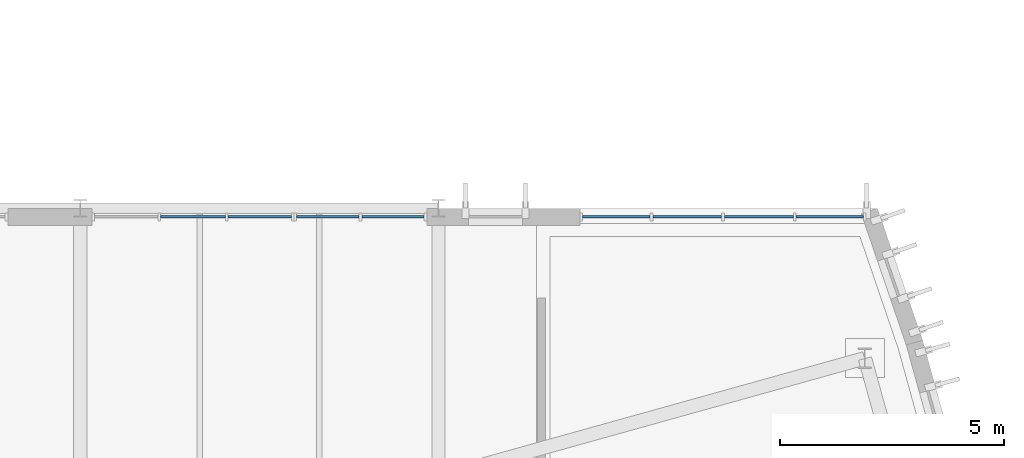
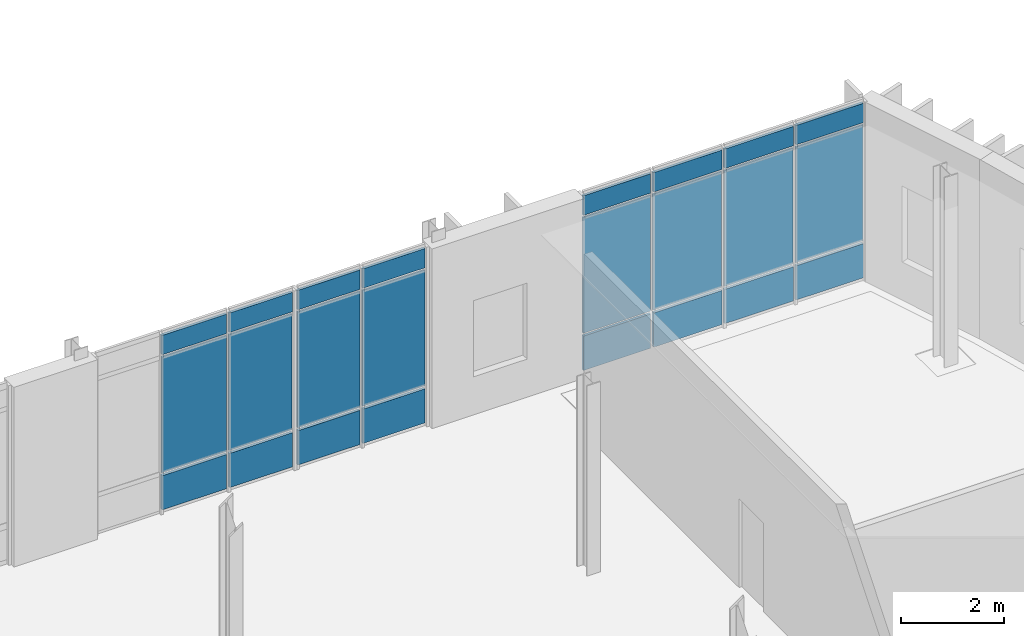
# One storey, part 61 of 100: 24 plates, 3 elements without a shape of their own.
"""IFC4 building model written with IfcOpenShell, lengths in metres."""

from ifc_helpers import new_model, si_unit, direction, frame, origin, origin_2d, place, context, subcontext, project, spatial, rectangle, extrude, material, layer, layer_set, type_object, element, aggregate, save


model = new_model("IFC4")

# Units and contexts
model_context = context("Model", 3, precision=1e-05, world=origin(), true_north=direction((0.0, 1.0)))
body_context = subcontext(model_context, "Body", "Model", "MODEL_VIEW")
ifc_project = project(units=[si_unit("LENGTHUNIT", "METRE"), si_unit("AREAUNIT", "SQUARE_METRE"), si_unit("VOLUMEUNIT", "CUBIC_METRE"), si_unit("PLANEANGLEUNIT", "RADIAN"), si_unit("MASSUNIT", "GRAM", prefix="KILO")], contexts=[model_context])

# Site, building, storey
site_placement = place(None, origin())
site = spatial("IfcSite", under=ifc_project, at=site_placement, CompositionType="ELEMENT")
building_placement = place(site_placement, origin())
building = spatial("IfcBuilding", under=site, at=building_placement, Name="Cymarion Research Institute", CompositionType="ELEMENT")
storey_placement = place(building_placement, frame((0.0, 0.0, 9.300048828125)))
storey = spatial("IfcBuildingStorey", under=building, at=storey_placement, Name="L02", CompositionType="ELEMENT", Elevation=9.300048828125)

# Curtain wall, plates
ifc_material_1 = material(Name="Anodised aluminium unitised curtain wall with Low-E glazing", Category="aluminium")
curtain_wall_type_1 = type_object("IfcCurtainWallType", Name="UNITISED CURTAIN WALL CW02 6390X4250", PredefinedType="NOTDEFINED", material=ifc_material_1)
curtain_wall_1_placement = place(storey_placement, origin())
curtain_wall_1 = element("IfcCurtainWall", 1, at=curtain_wall_1_placement, inside=storey, type_object=curtain_wall_type_1, Name="L02 V1 unitised curtain wall CW02 #67", PredefinedType="NOTDEFINED")
ifc_material_2 = material(Name="Insulated anodised aluminium spandrel panel", Category="aluminium")
ifc_layer_1 = layer(ifc_material_2, 0.06005859375)
ifc_layer_set_1 = layer_set([ifc_layer_1], Name="Insulated anodised aluminium spandrel panel")
plate_type_1 = type_object("IfcPlateType", Name="INSULATED ALUMINIUM SPANDREL PANEL SP01 60MM", PredefinedType="SHEET", material=ifc_layer_set_1)
plate_1_placement = place(storey_placement, frame((163.3330078125, 41.31005859375, 0.059814453125), z_axis=(0.0, 0.0, 1.0), x_axis=(-1.0, 0.0, 0.0)))
plate_1 = element("IfcPlate", 2, at=plate_1_placement, type_object=plate_type_1, Name="CW02 panel 1.1", PredefinedType="SHEET", context=body_context, shape_type="SweptSolid", body=[
    extrude(rectangle(XDim=1.506591796875, YDim=0.06005859375, at=origin_2d()), origin(), (0.0, 0.0, 1.0), 0.81005859375),
])
plate_2_placement = place(storey_placement, frame((163.3330078125, 41.31005859375, 3.72998046875), z_axis=(0.0, 0.0, 1.0), x_axis=(-1.0, 0.0, 0.0)))
plate_2 = element("IfcPlate", 3, at=plate_2_placement, type_object=plate_type_1, Name="CW02 panel 1.3", PredefinedType="SHEET", context=body_context, shape_type="SweptSolid", body=[
    extrude(rectangle(XDim=1.506591796875, YDim=0.06005859375, at=origin_2d()), origin(), (0.0, 0.0, 1.0), 0.4599609375),
])
plate_3_placement = place(storey_placement, frame((161.75146484375, 41.31005859375, 0.059814453125), z_axis=(0.0, 0.0, 1.0), x_axis=(-1.0, 0.0, 0.0)))
plate_3 = element("IfcPlate", 4, at=plate_3_placement, type_object=plate_type_1, Name="CW02 panel 2.1", PredefinedType="SHEET", context=body_context, shape_type="SweptSolid", body=[
    extrude(rectangle(XDim=1.53662109375, YDim=0.06005859375, at=origin_2d()), origin(), (0.0, 0.0, 1.0), 0.81005859375),
])
plate_4_placement = place(storey_placement, frame((161.75146484375, 41.31005859375, 3.72998046875), z_axis=(0.0, 0.0, 1.0), x_axis=(-1.0, 0.0, 0.0)))
plate_4 = element("IfcPlate", 5, at=plate_4_placement, type_object=plate_type_1, Name="CW02 panel 2.3", PredefinedType="SHEET", context=body_context, shape_type="SweptSolid", body=[
    extrude(rectangle(XDim=1.53662109375, YDim=0.06005859375, at=origin_2d()), origin(), (0.0, 0.0, 1.0), 0.4599609375),
])
plate_5_placement = place(storey_placement, frame((160.15478515625, 41.31005859375, 0.059814453125), z_axis=(0.0, 0.0, 1.0), x_axis=(-1.0, 0.0, 0.0)))
plate_5 = element("IfcPlate", 6, at=plate_5_placement, type_object=plate_type_1, Name="CW02 panel 3.1", PredefinedType="SHEET", context=body_context, shape_type="SweptSolid", body=[
    extrude(rectangle(XDim=1.53662109375, YDim=0.06005859375, at=origin_2d()), origin(), (0.0, 0.0, 1.0), 0.81005859375),
])
plate_6_placement = place(storey_placement, frame((160.15478515625, 41.31005859375, 3.72998046875), z_axis=(0.0, 0.0, 1.0), x_axis=(-1.0, 0.0, 0.0)))
plate_6 = element("IfcPlate", 7, at=plate_6_placement, type_object=plate_type_1, Name="CW02 panel 3.3", PredefinedType="SHEET", context=body_context, shape_type="SweptSolid", body=[
    extrude(rectangle(XDim=1.53662109375, YDim=0.06005859375, at=origin_2d()), origin(), (0.0, 0.0, 1.0), 0.4599609375),
])
plate_7_placement = place(storey_placement, frame((158.5732421875, 41.31005859375, 0.059814453125), z_axis=(0.0, 0.0, 1.0), x_axis=(-1.0, 0.0, 0.0)))
plate_7 = element("IfcPlate", 8, at=plate_7_placement, type_object=plate_type_1, Name="CW02 panel 4.1", PredefinedType="SHEET", context=body_context, shape_type="SweptSolid", body=[
    extrude(rectangle(XDim=1.506591796875, YDim=0.06005859375, at=origin_2d()), origin(), (0.0, 0.0, 1.0), 0.81005859375),
])
plate_8_placement = place(storey_placement, frame((158.5732421875, 41.31005859375, 3.72998046875), z_axis=(0.0, 0.0, 1.0), x_axis=(-1.0, 0.0, 0.0)))
plate_8 = element("IfcPlate", 9, at=plate_8_placement, type_object=plate_type_1, Name="CW02 panel 4.3", PredefinedType="SHEET", context=body_context, shape_type="SweptSolid", body=[
    extrude(rectangle(XDim=1.506591796875, YDim=0.06005859375, at=origin_2d()), origin(), (0.0, 0.0, 1.0), 0.4599609375),
])

curtain_wall_type_2 = type_object("IfcCurtainWallType", Name="UNITISED CURTAIN WALL CW03 2970X4250", PredefinedType="NOTDEFINED", material=ifc_material_1)
curtain_wall_2_placement = place(storey_placement, origin())
curtain_wall_2 = element("IfcCurtainWall", 10, at=curtain_wall_2_placement, inside=storey, type_object=curtain_wall_type_2, Name="L02 V1 unitised curtain wall CW03 #68", PredefinedType="NOTDEFINED")
plate_9_placement = place(storey_placement, frame((153.583251953125, 41.31005859375, 0.059814453125), z_axis=(0.0, 0.0, 1.0), x_axis=(-1.0, 0.0, 0.0)))
plate_9 = element("IfcPlate", 11, at=plate_9_placement, type_object=plate_type_1, Name="CW03 panel 1.1", PredefinedType="SHEET", context=body_context, shape_type="SweptSolid", body=[
    extrude(rectangle(XDim=1.393310546875, YDim=0.06005859375, at=origin_2d()), origin(), (0.0, 0.0, 1.0), 0.81005859375),
])
plate_10_placement = place(storey_placement, frame((153.583251953125, 41.31005859375, 3.72998046875), z_axis=(0.0, 0.0, 1.0), x_axis=(-1.0, 0.0, 0.0)))
plate_10 = element("IfcPlate", 12, at=plate_10_placement, type_object=plate_type_1, Name="CW03 panel 1.3", PredefinedType="SHEET", context=body_context, shape_type="SweptSolid", body=[
    extrude(rectangle(XDim=1.393310546875, YDim=0.06005859375, at=origin_2d()), origin(), (0.0, 0.0, 1.0), 0.4599609375),
])
plate_11_placement = place(storey_placement, frame((152.1298828125, 41.31005859375, 0.059814453125), z_axis=(0.0, 0.0, 1.0), x_axis=(-1.0, 0.0, 0.0)))
plate_11 = element("IfcPlate", 13, at=plate_11_placement, type_object=plate_type_1, Name="CW03 panel 2.1", PredefinedType="SHEET", context=body_context, shape_type="SweptSolid", body=[
    extrude(rectangle(XDim=1.393310546875, YDim=0.06005859375, at=origin_2d()), origin(), (0.0, 0.0, 1.0), 0.81005859375),
])
plate_12_placement = place(storey_placement, frame((152.1298828125, 41.31005859375, 3.72998046875), z_axis=(0.0, 0.0, 1.0), x_axis=(-1.0, 0.0, 0.0)))
plate_12 = element("IfcPlate", 14, at=plate_12_placement, type_object=plate_type_1, Name="CW03 panel 2.3", PredefinedType="SHEET", context=body_context, shape_type="SweptSolid", body=[
    extrude(rectangle(XDim=1.393310546875, YDim=0.06005859375, at=origin_2d()), origin(), (0.0, 0.0, 1.0), 0.4599609375),
])

curtain_wall_type_3 = type_object("IfcCurtainWallType", Name="UNITISED CURTAIN WALL CW04 4510X4250", PredefinedType="NOTDEFINED", material=ifc_material_1)
curtain_wall_3_placement = place(storey_placement, origin())
curtain_wall_3 = element("IfcCurtainWall", 15, at=curtain_wall_3_placement, inside=storey, type_object=curtain_wall_type_3, Name="L02 V1 unitised curtain wall CW04 #69", PredefinedType="NOTDEFINED")
plate_13_placement = place(storey_placement, frame((150.60595703125, 41.31005859375, 0.059814453125), z_axis=(0.0, 0.0, 1.0), x_axis=(-1.0, 0.0, 0.0)))
plate_13 = element("IfcPlate", 16, at=plate_13_placement, type_object=plate_type_1, Name="CW04 panel 1.1", PredefinedType="SHEET", context=body_context, shape_type="SweptSolid", body=[
    extrude(rectangle(XDim=1.414306640625, YDim=0.06005859375, at=origin_2d()), origin(), (0.0, 0.0, 1.0), 0.81005859375),
])
plate_14_placement = place(storey_placement, frame((150.60595703125, 41.31005859375, 3.72998046875), z_axis=(0.0, 0.0, 1.0), x_axis=(-1.0, 0.0, 0.0)))
plate_14 = element("IfcPlate", 17, at=plate_14_placement, type_object=plate_type_1, Name="CW04 panel 1.3", PredefinedType="SHEET", context=body_context, shape_type="SweptSolid", body=[
    extrude(rectangle(XDim=1.414306640625, YDim=0.06005859375, at=origin_2d()), origin(), (0.0, 0.0, 1.0), 0.4599609375),
])
plate_15_placement = place(storey_placement, frame((149.11669921875, 41.31005859375, 0.059814453125), z_axis=(0.0, 0.0, 1.0), x_axis=(-1.0, 0.0, 0.0)))
plate_15 = element("IfcPlate", 18, at=plate_15_placement, type_object=plate_type_1, Name="CW04 panel 2.1", PredefinedType="SHEET", context=body_context, shape_type="SweptSolid", body=[
    extrude(rectangle(XDim=1.4443359375, YDim=0.06005859375, at=origin_2d()), origin(), (0.0, 0.0, 1.0), 0.81005859375),
])
plate_16_placement = place(storey_placement, frame((149.11669921875, 41.31005859375, 3.72998046875), z_axis=(0.0, 0.0, 1.0), x_axis=(-1.0, 0.0, 0.0)))
plate_16 = element("IfcPlate", 19, at=plate_16_placement, type_object=plate_type_1, Name="CW04 panel 2.3", PredefinedType="SHEET", context=body_context, shape_type="SweptSolid", body=[
    extrude(rectangle(XDim=1.4443359375, YDim=0.06005859375, at=origin_2d()), origin(), (0.0, 0.0, 1.0), 0.4599609375),
])

# Plate
ifc_material_3 = material(Name="Low-E double solar-control glazing", Category="glass")
ifc_layer_2 = layer(ifc_material_3, 0.035888671875)
ifc_layer_set_2 = layer_set([ifc_layer_2], Name="Low-E double solar-control glazing")
plate_type_2 = type_object("IfcPlateType", Name="SOLAR CONTROL GLAZED VISION PANEL GP01 36MM", PredefinedType="CURTAIN_PANEL", material=ifc_layer_set_2)
plate_17_placement = place(storey_placement, frame((163.3330078125, 41.31005859375, 0.93017578125), z_axis=(0.0, 0.0, 1.0), x_axis=(-1.0, 0.0, 0.0)))
plate_17 = element("IfcPlate", 20, at=plate_17_placement, type_object=plate_type_2, Name="CW02 panel 1.2", PredefinedType="CURTAIN_PANEL", context=body_context, shape_type="SweptSolid", body=[
    extrude(rectangle(XDim=1.506591796875, YDim=0.035888671875, at=origin_2d()), origin(), (0.0, 0.0, 1.0), 2.739990234375),
])

plate_18_placement = place(storey_placement, frame((161.75146484375, 41.31005859375, 0.93017578125), z_axis=(0.0, 0.0, 1.0), x_axis=(-1.0, 0.0, 0.0)))
plate_18 = element("IfcPlate", 21, at=plate_18_placement, type_object=plate_type_2, Name="CW02 panel 2.2", PredefinedType="CURTAIN_PANEL", context=body_context, shape_type="SweptSolid", body=[
    extrude(rectangle(XDim=1.53662109375, YDim=0.035888671875, at=origin_2d()), origin(), (0.0, 0.0, 1.0), 2.739990234375),
])

plate_19_placement = place(storey_placement, frame((160.15478515625, 41.31005859375, 0.93017578125), z_axis=(0.0, 0.0, 1.0), x_axis=(-1.0, 0.0, 0.0)))
plate_19 = element("IfcPlate", 22, at=plate_19_placement, type_object=plate_type_2, Name="CW02 panel 3.2", PredefinedType="CURTAIN_PANEL", context=body_context, shape_type="SweptSolid", body=[
    extrude(rectangle(XDim=1.53662109375, YDim=0.035888671875, at=origin_2d()), origin(), (0.0, 0.0, 1.0), 2.739990234375),
])

plate_20_placement = place(storey_placement, frame((158.5732421875, 41.31005859375, 0.93017578125), z_axis=(0.0, 0.0, 1.0), x_axis=(-1.0, 0.0, 0.0)))
plate_20 = element("IfcPlate", 23, at=plate_20_placement, type_object=plate_type_2, Name="CW02 panel 4.2", PredefinedType="CURTAIN_PANEL", context=body_context, shape_type="SweptSolid", body=[
    extrude(rectangle(XDim=1.506591796875, YDim=0.035888671875, at=origin_2d()), origin(), (0.0, 0.0, 1.0), 2.739990234375),
])

aggregate(curtain_wall_1, [plate_1, plate_17, plate_2, plate_3, plate_18, plate_4, plate_5, plate_19, plate_6, plate_7, plate_20, plate_8])

plate_21_placement = place(storey_placement, frame((153.583251953125, 41.31005859375, 0.93017578125), z_axis=(0.0, 0.0, 1.0), x_axis=(-1.0, 0.0, 0.0)))
plate_21 = element("IfcPlate", 24, at=plate_21_placement, type_object=plate_type_2, Name="CW03 panel 1.2", PredefinedType="CURTAIN_PANEL", context=body_context, shape_type="SweptSolid", body=[
    extrude(rectangle(XDim=1.393310546875, YDim=0.035888671875, at=origin_2d()), origin(), (0.0, 0.0, 1.0), 2.739990234375),
])

plate_22_placement = place(storey_placement, frame((152.1298828125, 41.31005859375, 0.93017578125), z_axis=(0.0, 0.0, 1.0), x_axis=(-1.0, 0.0, 0.0)))
plate_22 = element("IfcPlate", 25, at=plate_22_placement, type_object=plate_type_2, Name="CW03 panel 2.2", PredefinedType="CURTAIN_PANEL", context=body_context, shape_type="SweptSolid", body=[
    extrude(rectangle(XDim=1.393310546875, YDim=0.035888671875, at=origin_2d()), origin(), (0.0, 0.0, 1.0), 2.739990234375),
])

aggregate(curtain_wall_2, [plate_9, plate_21, plate_10, plate_11, plate_22, plate_12])

plate_23_placement = place(storey_placement, frame((150.60595703125, 41.31005859375, 0.93017578125), z_axis=(0.0, 0.0, 1.0), x_axis=(-1.0, 0.0, 0.0)))
plate_23 = element("IfcPlate", 26, at=plate_23_placement, type_object=plate_type_2, Name="CW04 panel 1.2", PredefinedType="CURTAIN_PANEL", context=body_context, shape_type="SweptSolid", body=[
    extrude(rectangle(XDim=1.414306640625, YDim=0.035888671875, at=origin_2d()), origin(), (0.0, 0.0, 1.0), 2.739990234375),
])

plate_24_placement = place(storey_placement, frame((149.11669921875, 41.31005859375, 0.93017578125), z_axis=(0.0, 0.0, 1.0), x_axis=(-1.0, 0.0, 0.0)))
plate_24 = element("IfcPlate", 27, at=plate_24_placement, type_object=plate_type_2, Name="CW04 panel 2.2", PredefinedType="CURTAIN_PANEL", context=body_context, shape_type="SweptSolid", body=[
    extrude(rectangle(XDim=1.4443359375, YDim=0.035888671875, at=origin_2d()), origin(), (0.0, 0.0, 1.0), 2.739990234375),
])

aggregate(curtain_wall_3, [plate_13, plate_23, plate_14, plate_15, plate_24, plate_16])

save(model, "model.ifc")
